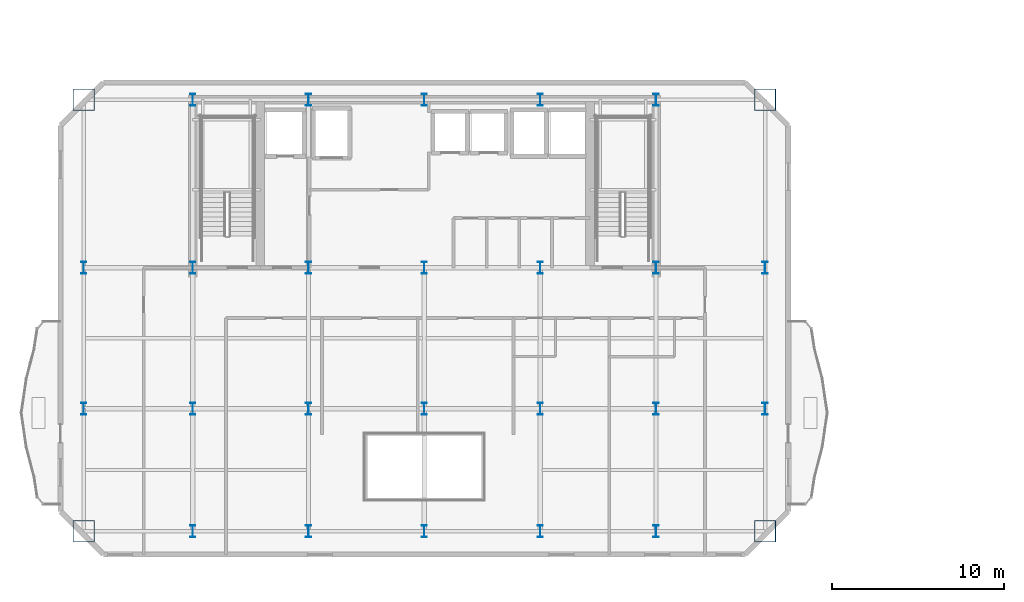
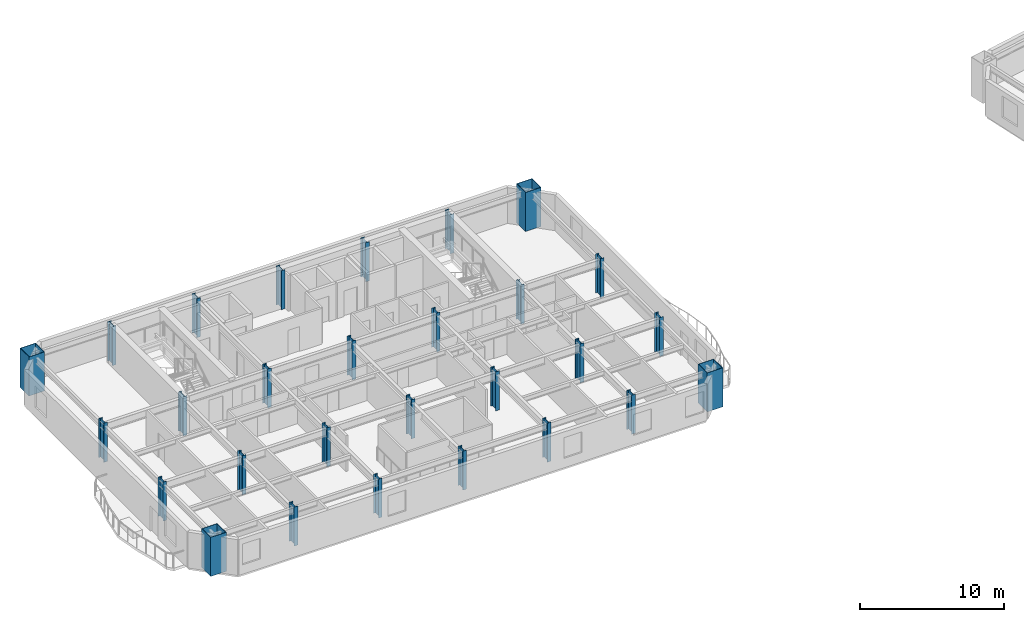
# One storey, part 1 of 13: 28 columns.
"""IFC4 building model written with IfcOpenShell, lengths in metres."""

from ifc_helpers import new_model, si_unit, direction, frame, origin, origin_2d, place, context, subcontext, project, spatial, hollow_rectangle, i_section, extrude, material, material_profile, profile_set, type_object, element, save


model = new_model("IFC4")

# Units and contexts
model_context = context("Model", 3, precision=1e-05, world=origin(), true_north=direction((0.0, 1.0)))
body_context = subcontext(model_context, "Body", "Model", "MODEL_VIEW")
ifc_project = project(units=[si_unit("LENGTHUNIT", "METRE"), si_unit("AREAUNIT", "SQUARE_METRE"), si_unit("VOLUMEUNIT", "CUBIC_METRE"), si_unit("PLANEANGLEUNIT", "RADIAN"), si_unit("MASSUNIT", "GRAM", prefix="KILO")], contexts=[model_context])

# Site, building, storey
site_placement = place(None, origin())
site = spatial("IfcSite", under=ifc_project, at=site_placement, CompositionType="ELEMENT")
building_placement = place(site_placement, origin())
building = spatial("IfcBuilding", under=site, at=building_placement, Name="Haevon Station Towers", CompositionType="ELEMENT")
storey_placement = place(building_placement, frame((0.0, 0.0, 142.800048828125)))
storey = spatial("IfcBuildingStorey", under=building, at=storey_placement, Name="L38", CompositionType="ELEMENT", Elevation=142.800048828125)

# Columns
ifc_material_1 = material(Name="Steel S460", Category="steel")
ifc_material_profile_1 = material_profile(ifc_material_1, hollow_rectangle(XDim=1.25, YDim=1.25, WallThickness=0.034912109375, at=origin_2d()), Name="BOX-1250x1250x35")
ifc_profile_set_1 = profile_set([ifc_material_profile_1], Name="Steel S460")
column_type_1 = type_object("IfcColumnType", Name="COL-MC4", PredefinedType="COLUMN", material=ifc_profile_set_1)
for number, where, z_axis, x_axis, name in (
    (1, (17.64990234375, 22.85009765625, 0.0), (0.0, 0.0, 1.0), (1.0, 0.0, 0.0), "COL-T1-L38-01-01"),
    (2, (17.64990234375, 48.0, 0.0), (0.0, 0.0, 1.0), (1.0, 0.0, 0.0), "COL-T1-L38-01-04"),
    (3, (57.35009765625, 22.85009765625, 0.0), (0.0, 0.0, 1.0), (1.0, 0.0, 0.0), "COL-T1-L38-07-01"),
    (4, (57.35009765625, 48.0, 0.0), (0.0, 0.0, 1.0), (1.0, 0.0, 0.0), "COL-T1-L38-07-04"),
):
    element("IfcColumn", number, at=place(storey_placement, frame(where, z_axis=z_axis, x_axis=x_axis)), inside=storey, type_object=column_type_1, Name=name, PredefinedType="COLUMN", context=body_context, shape_type="SweptSolid", body=[
        extrude(hollow_rectangle(XDim=1.25, YDim=1.25, WallThickness=0.034912109375, at=origin_2d()), origin(), (0.0, 0.0, 1.0), 3.300048828125),
    ])
ifc_material_2 = material(Name="Steel S355", Category="steel")
ifc_material_profile_2 = material_profile(ifc_material_2, i_section(OverallWidth=0.300048828125, OverallDepth=0.699951171875, WebThickness=0.01611328125, FlangeThickness=0.028076171875, at=origin_2d()), Name="H-700x300x16x28")
ifc_profile_set_2 = profile_set([ifc_material_profile_2], Name="Steel S355")
column_type_2 = type_object("IfcColumnType", Name="COL-TW3", PredefinedType="COLUMN", material=ifc_profile_set_2)
for number, where, z_axis, x_axis, name in (
    (5, (17.64990234375, 30.0, 0.0), (0.0, 0.0, 1.0), (1.0, 0.0, 0.0), "COL-T1-L38-01-02"),
    (6, (17.64990234375, 38.199951171875, 0.0), (0.0, 0.0, 1.0), (1.0, 0.0, 0.0), "COL-T1-L38-01-03"),
    (7, (24.0, 22.85009765625, 0.0), (0.0, 0.0, 1.0), (1.0, 0.0, 0.0), "COL-T1-L38-02-01"),
    (8, (24.0, 30.0, 0.0), (0.0, 0.0, 1.0), (1.0, 0.0, 0.0), "COL-T1-L38-02-02"),
    (9, (24.0, 38.199951171875, 0.0), (0.0, 0.0, 1.0), (1.0, 0.0, 0.0), "COL-T1-L38-02-03"),
    (10, (24.0, 48.0, 0.0), (0.0, 0.0, 1.0), (1.0, 0.0, 0.0), "COL-T1-L38-02-04"),
    (11, (30.75, 22.85009765625, 0.0), (0.0, 0.0, 1.0), (1.0, 0.0, 0.0), "COL-T1-L38-03-01"),
    (12, (30.75, 30.0, 0.0), (0.0, 0.0, 1.0), (1.0, 0.0, 0.0), "COL-T1-L38-03-02"),
    (13, (30.75, 38.199951171875, 0.0), (0.0, 0.0, 1.0), (1.0, 0.0, 0.0), "COL-T1-L38-03-03"),
    (14, (30.75, 48.0, 0.0), (0.0, 0.0, 1.0), (1.0, 0.0, 0.0), "COL-T1-L38-03-04"),
    (15, (37.5, 22.85009765625, 0.0), (0.0, 0.0, 1.0), (1.0, 0.0, 0.0), "COL-T1-L38-04-01"),
    (16, (37.5, 30.0, 0.0), (0.0, 0.0, 1.0), (1.0, 0.0, 0.0), "COL-T1-L38-04-02"),
    (17, (37.5, 38.199951171875, 0.0), (0.0, 0.0, 1.0), (1.0, 0.0, 0.0), "COL-T1-L38-04-03"),
    (18, (37.5, 48.0, 0.0), (0.0, 0.0, 1.0), (1.0, 0.0, 0.0), "COL-T1-L38-04-04"),
    (19, (44.25, 22.85009765625, 0.0), (0.0, 0.0, 1.0), (1.0, 0.0, 0.0), "COL-T1-L38-05-01"),
    (20, (44.25, 30.0, 0.0), (0.0, 0.0, 1.0), (1.0, 0.0, 0.0), "COL-T1-L38-05-02"),
    (21, (44.25, 38.199951171875, 0.0), (0.0, 0.0, 1.0), (1.0, 0.0, 0.0), "COL-T1-L38-05-03"),
    (22, (44.25, 48.0, 0.0), (0.0, 0.0, 1.0), (1.0, 0.0, 0.0), "COL-T1-L38-05-04"),
    (23, (51.0, 22.85009765625, 0.0), (0.0, 0.0, 1.0), (1.0, 0.0, 0.0), "COL-T1-L38-06-01"),
    (24, (51.0, 30.0, 0.0), (0.0, 0.0, 1.0), (1.0, 0.0, 0.0), "COL-T1-L38-06-02"),
    (25, (51.0, 38.199951171875, 0.0), (0.0, 0.0, 1.0), (1.0, 0.0, 0.0), "COL-T1-L38-06-03"),
    (26, (51.0, 48.0, 0.0), (0.0, 0.0, 1.0), (1.0, 0.0, 0.0), "COL-T1-L38-06-04"),
    (27, (57.35009765625, 30.0, 0.0), (0.0, 0.0, 1.0), (1.0, 0.0, 0.0), "COL-T1-L38-07-02"),
    (28, (57.35009765625, 38.199951171875, 0.0), (0.0, 0.0, 1.0), (1.0, 0.0, 0.0), "COL-T1-L38-07-03"),
):
    element("IfcColumn", number, at=place(storey_placement, frame(where, z_axis=z_axis, x_axis=x_axis)), inside=storey, type_object=column_type_2, Name=name, PredefinedType="COLUMN", context=body_context, shape_type="SweptSolid", body=[
        extrude(i_section(OverallWidth=0.300048828125, OverallDepth=0.699951171875, WebThickness=0.01611328125, FlangeThickness=0.028076171875, at=origin_2d()), origin(), (0.0, 0.0, 1.0), 3.300048828125),
    ])

save(model, "model.ifc")
